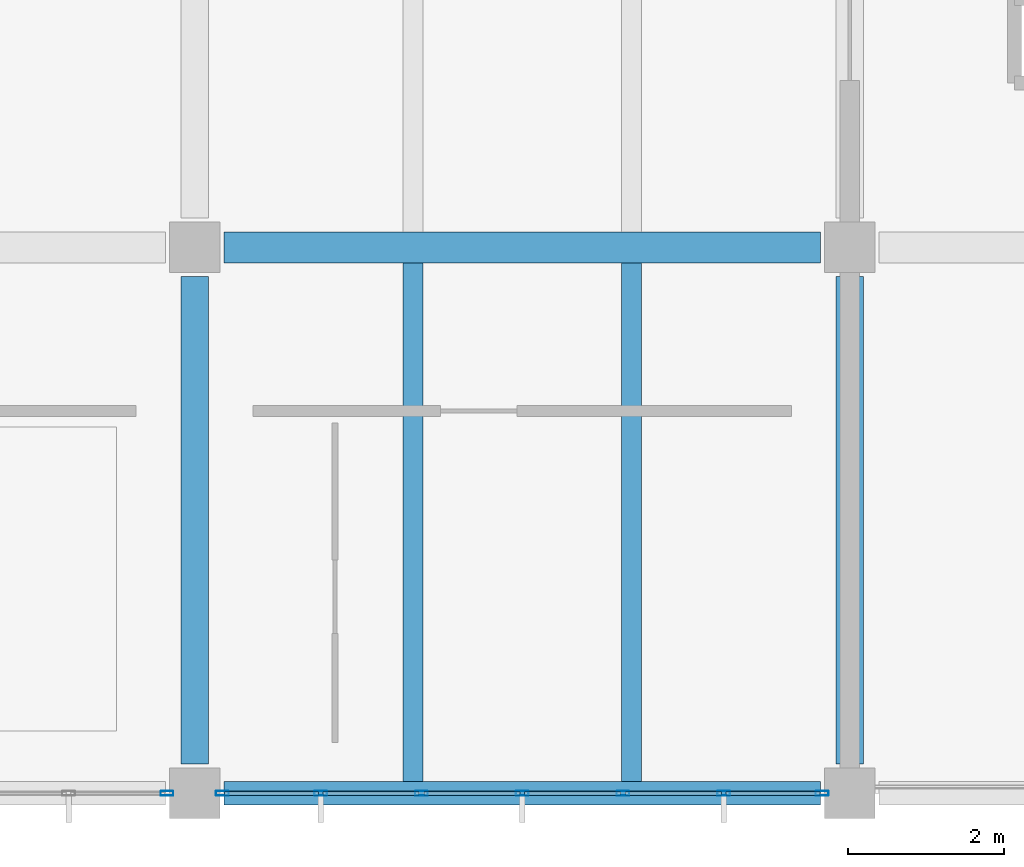
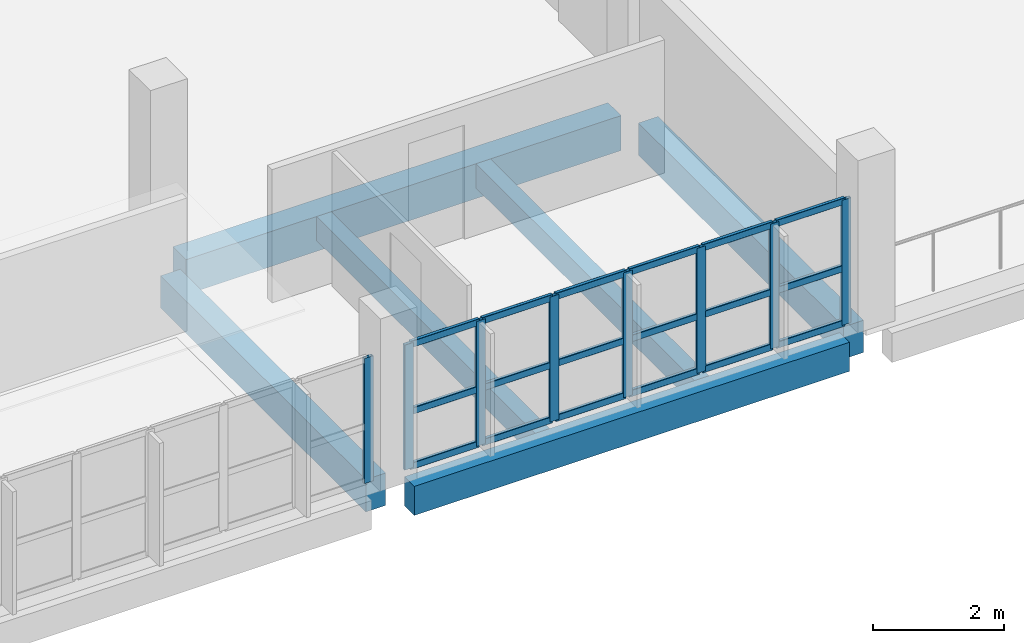
# One storey, part 15 of 33: 26 members, 6 beams, 2 elements without a shape of their own.
"""IFC4 building model written with IfcOpenShell, lengths in metres."""

from ifc_helpers import new_model, si_unit, direction, frame, origin, origin_2d, place, context, subcontext, project, spatial, rectangle, hollow_rectangle, extrude, material, layer, layer_set, material_profile, profile_set, type_object, element, aggregate, save


model = new_model("IFC4")

# Units and contexts
model_context = context("Model", 3, precision=1e-05, world=origin(), true_north=direction((0.0, 1.0)))
body_context = subcontext(model_context, "Body", "Model", "MODEL_VIEW")
ifc_project = project(units=[si_unit("LENGTHUNIT", "METRE"), si_unit("AREAUNIT", "SQUARE_METRE"), si_unit("VOLUMEUNIT", "CUBIC_METRE"), si_unit("PLANEANGLEUNIT", "RADIAN"), si_unit("MASSUNIT", "GRAM", prefix="KILO"), si_unit("THERMODYNAMICTEMPERATUREUNIT", "KELVIN"), si_unit("POWERUNIT", "WATT")], contexts=[model_context])

# Site, building, storey
site_placement = place(None, origin())
site = spatial("IfcSite", under=ifc_project, at=site_placement, CompositionType="ELEMENT")
building_placement = place(site_placement, origin())
building = spatial("IfcBuilding", under=site, at=building_placement, Name="Mavoryth Pier Ferry Terminal", CompositionType="ELEMENT")
storey_placement = place(building_placement, frame((0.0, 0.0, 13.1201171875)))
storey = spatial("IfcBuildingStorey", under=building, at=storey_placement, Name="L03", CompositionType="ELEMENT", Elevation=13.1201171875)

# Beams
ifc_material_1 = material(Name="Concrete C35/45", Category="concrete")
ifc_material_profile_1 = material_profile(ifc_material_1, rectangle(XDim=0.35009765625, YDim=0.60009765625, at=origin_2d()), Name="RC 350x600", Category="concrete")
ifc_profile_set_1 = profile_set([ifc_material_profile_1], Name="Concrete C35/45 - RC 350x600")
beam_type_1 = type_object("IfcBeamType", Name="Girder-RC-350x600", PredefinedType="BEAM", material=ifc_profile_set_1)
for number, where, z_axis, x_axis, name in (
    (1, (75.60009765625, 0.375, -0.56005859375), (0.0, 1.0, 0.0), (-1.0, 0.0, 0.0), "Beam B03-BG08-1269"),
    (2, (84.0, 0.375, -0.66015625), (0.0, 1.0, 0.0), (-1.0, 0.0, 0.0), "Beam B03-BG08-1272"),
):
    element("IfcBeam", number, at=place(storey_placement, frame(where, z_axis=z_axis, x_axis=x_axis)), inside=storey, type_object=beam_type_1, Name=name, PredefinedType="BEAM", context=body_context, shape_type="SweptSolid", body=[
        extrude(rectangle(XDim=0.35009765625, YDim=0.60009765625, at=origin_2d()), origin(), (0.0, 0.0, 1.0), 6.25),
    ])
ifc_material_profile_2 = material_profile(ifc_material_1, rectangle(XDim=0.39990234375, YDim=0.64990234375, at=origin_2d()), Name="RC 400x650", Category="concrete")
ifc_profile_set_2 = profile_set([ifc_material_profile_2], Name="Concrete C35/45 - RC 400x650")
beam_type_2 = type_object("IfcBeamType", Name="Girder-RC-400x650", PredefinedType="BEAM", material=ifc_profile_set_2)
beam_1_placement = place(storey_placement, frame((75.97509765625, 7.0, -0.585205078125), z_axis=(1.0, 0.0, 0.0), x_axis=(0.0, 1.0, 0.0)))
element("IfcBeam", 3, at=beam_1_placement, inside=storey, type_object=beam_type_2, Name="Beam B03-BG05-1243", PredefinedType="BEAM", context=body_context, shape_type="SweptSolid", body=[
    extrude(rectangle(XDim=0.39990234375, YDim=0.64990234375, at=origin_2d()), origin(), (0.0, 0.0, 1.0), 7.64990234375),
])
ifc_material_profile_3 = material_profile(ifc_material_1, rectangle(XDim=0.260009765625, YDim=0.449951171875, at=origin_2d()), Name="RC 260x450", Category="concrete")
ifc_profile_set_3 = profile_set([ifc_material_profile_3], Name="Concrete C35/45 - RC 260x450")
beam_type_3 = type_object("IfcBeamType", Name="Joist-RC-260x450", PredefinedType="JOIST", material=ifc_profile_set_3)
for number, where, z_axis, x_axis, name in (
    (4, (78.39990234375, 0.14990234375, -0.485107421875), (0.0, 1.0, 0.0), (-1.0, 0.0, 0.0), "Beam B03-BJ03-1298"),
    (5, (81.199951171875, 0.14990234375, -0.485107421875), (0.0, 1.0, 0.0), (-1.0, 0.0, 0.0), "Beam B03-BJ03-1299"),
):
    element("IfcBeam", number, at=place(storey_placement, frame(where, z_axis=z_axis, x_axis=x_axis)), inside=storey, type_object=beam_type_3, Name=name, PredefinedType="JOIST", context=body_context, shape_type="SweptSolid", body=[
        extrude(rectangle(XDim=0.260009765625, YDim=0.449951171875, at=origin_2d()), origin(), (0.0, 0.0, 1.0), 6.650146484375),
    ])

# Curtain wall, member
ifc_material_2 = material(Name="Anodised Aluminium and Solar-Control Low-E Glass", Category="aluminium")
ifc_layer = layer(ifc_material_2, 0.239990234375, Name="Anodised Aluminium and Solar-Control Low-E Glass", Category="aluminium")
ifc_layer_set = layer_set([ifc_layer], Name="Anodised Aluminium and Solar-Control Low-E Glass - CW-Operations-Mod1200")
curtain_wall_type = type_object("IfcCurtainWallType", Name="CW-Operations-Mod1200", PredefinedType="USERDEFINED", material=ifc_layer_set)
curtain_wall_1_placement = place(storey_placement, origin())
curtain_wall_1 = element("IfcCurtainWall", 6, at=curtain_wall_1_placement, inside=storey, type_object=curtain_wall_type, Name="Curtain Wall CW-0322-142", ObjectType="UNITISED CURTAIN WALL", PredefinedType="USERDEFINED")
ifc_material_3 = material(Name="Anodised Aluminium EN AW-6063", Category="aluminium")
ifc_material_profile_4 = material_profile(ifc_material_3, hollow_rectangle(XDim=0.06005859375, YDim=0.1650390625, WallThickness=0.00390625, InnerFilletRadius=0.00390625, OuterFilletRadius=0.008056640625, at=origin_2d()), Name="AL-MULL 165x60x4", Category="aluminium")
ifc_profile_set_4 = profile_set([ifc_material_profile_4], Name="Anodised Aluminium EN AW-6063 - AL-MULL 165x60x4")
member_type_1 = type_object("IfcMemberType", Name="Mullion-Alum-165x60", PredefinedType="MULLION", material=ifc_profile_set_4)
member_1_placement = place(storey_placement, frame((75.2451171875, 0.0, 0.0), z_axis=(0.0, 0.0, 1.0), x_axis=(0.0, 1.0, 0.0)))
member_1 = element("IfcMember", 7, at=member_1_placement, type_object=member_type_1, Name="CW06 mullion 7", PredefinedType="MULLION", context=body_context, shape_type="SweptSolid", body=[
    extrude(hollow_rectangle(XDim=0.06005859375, YDim=0.1650390625, WallThickness=0.00390625, InnerFilletRadius=0.00390625, OuterFilletRadius=0.008056640625, at=origin_2d()), origin(), (0.0, 0.0, 1.0), 2.324951171875),
])
aggregate(curtain_wall_1, [member_1])

# Curtain wall, members
curtain_wall_2_placement = place(storey_placement, origin())
curtain_wall_2 = element("IfcCurtainWall", 8, at=curtain_wall_2_placement, inside=storey, type_object=curtain_wall_type, Name="Curtain Wall CW-0322-144", ObjectType="UNITISED CURTAIN WALL", PredefinedType="USERDEFINED")
member_2_placement = place(storey_placement, frame((75.955078125, 0.0, 0.0), z_axis=(0.0, 0.0, 1.0), x_axis=(0.0, 1.0, 0.0)))
member_2 = element("IfcMember", 9, at=member_2_placement, type_object=member_type_1, Name="CW06 mullion 1", PredefinedType="MULLION", context=body_context, shape_type="SweptSolid", body=[
    extrude(hollow_rectangle(XDim=0.06005859375, YDim=0.1650390625, WallThickness=0.00390625, InnerFilletRadius=0.00390625, OuterFilletRadius=0.008056640625, at=origin_2d()), origin(), (0.0, 0.0, 1.0), 2.324951171875),
])
member_3_placement = place(storey_placement, frame((77.216552734375, 0.0, 0.0), z_axis=(0.0, 0.0, 1.0), x_axis=(0.0, 1.0, 0.0)))
member_3 = element("IfcMember", 10, at=member_3_placement, type_object=member_type_1, Name="CW06 mullion 2", PredefinedType="MULLION", context=body_context, shape_type="SweptSolid", body=[
    extrude(hollow_rectangle(XDim=0.06005859375, YDim=0.1650390625, WallThickness=0.00390625, InnerFilletRadius=0.00390625, OuterFilletRadius=0.008056640625, at=origin_2d()), origin(), (0.0, 0.0, 1.0), 2.324951171875),
])
member_4_placement = place(storey_placement, frame((78.50830078125, 0.0, 0.0), z_axis=(0.0, 0.0, 1.0), x_axis=(0.0, 1.0, 0.0)))
member_4 = element("IfcMember", 11, at=member_4_placement, type_object=member_type_1, Name="CW06 mullion 3", PredefinedType="MULLION", context=body_context, shape_type="SweptSolid", body=[
    extrude(hollow_rectangle(XDim=0.06005859375, YDim=0.1650390625, WallThickness=0.00390625, InnerFilletRadius=0.00390625, OuterFilletRadius=0.008056640625, at=origin_2d()), origin(), (0.0, 0.0, 1.0), 2.324951171875),
])
member_5_placement = place(storey_placement, frame((79.800048828125, 0.0, 0.0), z_axis=(0.0, 0.0, 1.0), x_axis=(0.0, 1.0, 0.0)))
member_5 = element("IfcMember", 12, at=member_5_placement, type_object=member_type_1, Name="CW06 mullion 4", PredefinedType="MULLION", context=body_context, shape_type="SweptSolid", body=[
    extrude(hollow_rectangle(XDim=0.06005859375, YDim=0.1650390625, WallThickness=0.00390625, InnerFilletRadius=0.00390625, OuterFilletRadius=0.008056640625, at=origin_2d()), origin(), (0.0, 0.0, 1.0), 2.324951171875),
])
member_6_placement = place(storey_placement, frame((81.091552734375, 0.0, 0.0), z_axis=(0.0, 0.0, 1.0), x_axis=(0.0, 1.0, 0.0)))
member_6 = element("IfcMember", 13, at=member_6_placement, type_object=member_type_1, Name="CW06 mullion 5", PredefinedType="MULLION", context=body_context, shape_type="SweptSolid", body=[
    extrude(hollow_rectangle(XDim=0.06005859375, YDim=0.1650390625, WallThickness=0.00390625, InnerFilletRadius=0.00390625, OuterFilletRadius=0.008056640625, at=origin_2d()), origin(), (0.0, 0.0, 1.0), 2.324951171875),
])
member_7_placement = place(storey_placement, frame((82.38330078125, 0.0, 0.0), z_axis=(0.0, 0.0, 1.0), x_axis=(0.0, 1.0, 0.0)))
member_7 = element("IfcMember", 14, at=member_7_placement, type_object=member_type_1, Name="CW06 mullion 6", PredefinedType="MULLION", context=body_context, shape_type="SweptSolid", body=[
    extrude(hollow_rectangle(XDim=0.06005859375, YDim=0.1650390625, WallThickness=0.00390625, InnerFilletRadius=0.00390625, OuterFilletRadius=0.008056640625, at=origin_2d()), origin(), (0.0, 0.0, 1.0), 2.324951171875),
])
member_8_placement = place(storey_placement, frame((83.64501953125, 0.0, 0.0), z_axis=(0.0, 0.0, 1.0), x_axis=(0.0, 1.0, 0.0)))
member_8 = element("IfcMember", 15, at=member_8_placement, type_object=member_type_1, Name="CW06 mullion 7", PredefinedType="MULLION", context=body_context, shape_type="SweptSolid", body=[
    extrude(hollow_rectangle(XDim=0.06005859375, YDim=0.1650390625, WallThickness=0.00390625, InnerFilletRadius=0.00390625, OuterFilletRadius=0.008056640625, at=origin_2d()), origin(), (0.0, 0.0, 1.0), 2.324951171875),
])

# Beam
ifc_material_profile_5 = material_profile(ifc_material_1, rectangle(XDim=0.300048828125, YDim=0.5400390625, at=origin_2d()), Name="RC 300x540", Category="concrete")
ifc_profile_set_5 = profile_set([ifc_material_profile_5], Name="Concrete C35/45 - RC 300x540")
beam_type_4 = type_object("IfcBeamType", Name="Spandrel-RC-300x540", PredefinedType="SPANDREL", material=ifc_profile_set_5)
beam_2_placement = place(storey_placement, frame((75.97509765625, 0.0, -0.530029296875), z_axis=(1.0, 0.0, 0.0), x_axis=(0.0, 1.0, 0.0)))
element("IfcBeam", 16, at=beam_2_placement, inside=storey, type_object=beam_type_4, Name="Beam B03-SP02-1237", PredefinedType="SPANDREL", context=body_context, shape_type="SweptSolid", body=[
    extrude(rectangle(XDim=0.300048828125, YDim=0.5400390625, at=origin_2d()), origin(), (0.0, 0.0, 1.0), 7.64990234375),
])

# Member
ifc_material_profile_6 = material_profile(ifc_material_3, hollow_rectangle(XDim=0.06005859375, YDim=0.125, WallThickness=0.00390625, InnerFilletRadius=0.00390625, OuterFilletRadius=0.008056640625, at=origin_2d()), Name="AL-TRAN 125x60x4", Category="aluminium")
ifc_profile_set_6 = profile_set([ifc_material_profile_6], Name="Anodised Aluminium EN AW-6063 - AL-TRAN 125x60x4")
member_type_2 = type_object("IfcMemberType", Name="Transom-Alum-125x60", PredefinedType="USERDEFINED", material=ifc_profile_set_6)
member_9_placement = place(storey_placement, frame((75.985107421875, 0.0, 0.02978515625), z_axis=(1.0, 0.0, 0.0), x_axis=(0.0, 1.0, 0.0)))
member_9 = element("IfcMember", 17, at=member_9_placement, type_object=member_type_2, Name="CW06 transom 1.1", ObjectType="TRANSOM", PredefinedType="USERDEFINED", context=body_context, shape_type="SweptSolid", body=[
    extrude(hollow_rectangle(XDim=0.06005859375, YDim=0.125, WallThickness=0.00390625, InnerFilletRadius=0.00390625, OuterFilletRadius=0.008056640625, at=origin_2d()), origin(), (0.0, 0.0, 1.0), 1.20166015625),
])

member_10_placement = place(storey_placement, frame((75.985107421875, 0.0, 1.0498046875), z_axis=(1.0, 0.0, 0.0), x_axis=(0.0, 1.0, 0.0)))
member_10 = element("IfcMember", 18, at=member_10_placement, type_object=member_type_2, Name="CW06 transom 1.2", ObjectType="TRANSOM", PredefinedType="USERDEFINED", context=body_context, shape_type="SweptSolid", body=[
    extrude(hollow_rectangle(XDim=0.06005859375, YDim=0.125, WallThickness=0.00390625, InnerFilletRadius=0.00390625, OuterFilletRadius=0.008056640625, at=origin_2d()), origin(), (0.0, 0.0, 1.0), 1.20166015625),
])

member_11_placement = place(storey_placement, frame((75.985107421875, 0.0, 2.294921875), z_axis=(1.0, 0.0, 0.0), x_axis=(0.0, 1.0, 0.0)))
member_11 = element("IfcMember", 19, at=member_11_placement, type_object=member_type_2, Name="CW06 transom 1.3", ObjectType="TRANSOM", PredefinedType="USERDEFINED", context=body_context, shape_type="SweptSolid", body=[
    extrude(hollow_rectangle(XDim=0.06005859375, YDim=0.125, WallThickness=0.00390625, InnerFilletRadius=0.00390625, OuterFilletRadius=0.008056640625, at=origin_2d()), origin(), (0.0, 0.0, 1.0), 1.20166015625),
])

member_12_placement = place(storey_placement, frame((77.24658203125, 0.0, 0.02978515625), z_axis=(1.0, 0.0, 0.0), x_axis=(0.0, 1.0, 0.0)))
member_12 = element("IfcMember", 20, at=member_12_placement, type_object=member_type_2, Name="CW06 transom 2.1", ObjectType="TRANSOM", PredefinedType="USERDEFINED", context=body_context, shape_type="SweptSolid", body=[
    extrude(hollow_rectangle(XDim=0.06005859375, YDim=0.125, WallThickness=0.00390625, InnerFilletRadius=0.00390625, OuterFilletRadius=0.008056640625, at=origin_2d()), origin(), (0.0, 0.0, 1.0), 1.231689453125),
])

member_13_placement = place(storey_placement, frame((77.24658203125, 0.0, 1.0498046875), z_axis=(1.0, 0.0, 0.0), x_axis=(0.0, 1.0, 0.0)))
member_13 = element("IfcMember", 21, at=member_13_placement, type_object=member_type_2, Name="CW06 transom 2.2", ObjectType="TRANSOM", PredefinedType="USERDEFINED", context=body_context, shape_type="SweptSolid", body=[
    extrude(hollow_rectangle(XDim=0.06005859375, YDim=0.125, WallThickness=0.00390625, InnerFilletRadius=0.00390625, OuterFilletRadius=0.008056640625, at=origin_2d()), origin(), (0.0, 0.0, 1.0), 1.231689453125),
])

member_14_placement = place(storey_placement, frame((77.24658203125, 0.0, 2.294921875), z_axis=(1.0, 0.0, 0.0), x_axis=(0.0, 1.0, 0.0)))
member_14 = element("IfcMember", 22, at=member_14_placement, type_object=member_type_2, Name="CW06 transom 2.3", ObjectType="TRANSOM", PredefinedType="USERDEFINED", context=body_context, shape_type="SweptSolid", body=[
    extrude(hollow_rectangle(XDim=0.06005859375, YDim=0.125, WallThickness=0.00390625, InnerFilletRadius=0.00390625, OuterFilletRadius=0.008056640625, at=origin_2d()), origin(), (0.0, 0.0, 1.0), 1.231689453125),
])

member_15_placement = place(storey_placement, frame((78.538330078125, 0.0, 0.02978515625), z_axis=(1.0, 0.0, 0.0), x_axis=(0.0, 1.0, 0.0)))
member_15 = element("IfcMember", 23, at=member_15_placement, type_object=member_type_2, Name="CW06 transom 3.1", ObjectType="TRANSOM", PredefinedType="USERDEFINED", context=body_context, shape_type="SweptSolid", body=[
    extrude(hollow_rectangle(XDim=0.06005859375, YDim=0.125, WallThickness=0.00390625, InnerFilletRadius=0.00390625, OuterFilletRadius=0.008056640625, at=origin_2d()), origin(), (0.0, 0.0, 1.0), 1.231689453125),
])

member_16_placement = place(storey_placement, frame((78.538330078125, 0.0, 1.0498046875), z_axis=(1.0, 0.0, 0.0), x_axis=(0.0, 1.0, 0.0)))
member_16 = element("IfcMember", 24, at=member_16_placement, type_object=member_type_2, Name="CW06 transom 3.2", ObjectType="TRANSOM", PredefinedType="USERDEFINED", context=body_context, shape_type="SweptSolid", body=[
    extrude(hollow_rectangle(XDim=0.06005859375, YDim=0.125, WallThickness=0.00390625, InnerFilletRadius=0.00390625, OuterFilletRadius=0.008056640625, at=origin_2d()), origin(), (0.0, 0.0, 1.0), 1.231689453125),
])

member_17_placement = place(storey_placement, frame((78.538330078125, 0.0, 2.294921875), z_axis=(1.0, 0.0, 0.0), x_axis=(0.0, 1.0, 0.0)))
member_17 = element("IfcMember", 25, at=member_17_placement, type_object=member_type_2, Name="CW06 transom 3.3", ObjectType="TRANSOM", PredefinedType="USERDEFINED", context=body_context, shape_type="SweptSolid", body=[
    extrude(hollow_rectangle(XDim=0.06005859375, YDim=0.125, WallThickness=0.00390625, InnerFilletRadius=0.00390625, OuterFilletRadius=0.008056640625, at=origin_2d()), origin(), (0.0, 0.0, 1.0), 1.231689453125),
])

member_18_placement = place(storey_placement, frame((79.830078125, 0.0, 0.02978515625), z_axis=(1.0, 0.0, 0.0), x_axis=(0.0, 1.0, 0.0)))
member_18 = element("IfcMember", 26, at=member_18_placement, type_object=member_type_2, Name="CW06 transom 4.1", ObjectType="TRANSOM", PredefinedType="USERDEFINED", context=body_context, shape_type="SweptSolid", body=[
    extrude(hollow_rectangle(XDim=0.06005859375, YDim=0.125, WallThickness=0.00390625, InnerFilletRadius=0.00390625, OuterFilletRadius=0.008056640625, at=origin_2d()), origin(), (0.0, 0.0, 1.0), 1.231689453125),
])

member_19_placement = place(storey_placement, frame((79.830078125, 0.0, 1.0498046875), z_axis=(1.0, 0.0, 0.0), x_axis=(0.0, 1.0, 0.0)))
member_19 = element("IfcMember", 27, at=member_19_placement, type_object=member_type_2, Name="CW06 transom 4.2", ObjectType="TRANSOM", PredefinedType="USERDEFINED", context=body_context, shape_type="SweptSolid", body=[
    extrude(hollow_rectangle(XDim=0.06005859375, YDim=0.125, WallThickness=0.00390625, InnerFilletRadius=0.00390625, OuterFilletRadius=0.008056640625, at=origin_2d()), origin(), (0.0, 0.0, 1.0), 1.231689453125),
])

member_20_placement = place(storey_placement, frame((79.830078125, 0.0, 2.294921875), z_axis=(1.0, 0.0, 0.0), x_axis=(0.0, 1.0, 0.0)))
member_20 = element("IfcMember", 28, at=member_20_placement, type_object=member_type_2, Name="CW06 transom 4.3", ObjectType="TRANSOM", PredefinedType="USERDEFINED", context=body_context, shape_type="SweptSolid", body=[
    extrude(hollow_rectangle(XDim=0.06005859375, YDim=0.125, WallThickness=0.00390625, InnerFilletRadius=0.00390625, OuterFilletRadius=0.008056640625, at=origin_2d()), origin(), (0.0, 0.0, 1.0), 1.231689453125),
])

member_21_placement = place(storey_placement, frame((81.12158203125, 0.0, 0.02978515625), z_axis=(1.0, 0.0, 0.0), x_axis=(0.0, 1.0, 0.0)))
member_21 = element("IfcMember", 29, at=member_21_placement, type_object=member_type_2, Name="CW06 transom 5.1", ObjectType="TRANSOM", PredefinedType="USERDEFINED", context=body_context, shape_type="SweptSolid", body=[
    extrude(hollow_rectangle(XDim=0.06005859375, YDim=0.125, WallThickness=0.00390625, InnerFilletRadius=0.00390625, OuterFilletRadius=0.008056640625, at=origin_2d()), origin(), (0.0, 0.0, 1.0), 1.231689453125),
])

member_22_placement = place(storey_placement, frame((81.12158203125, 0.0, 1.0498046875), z_axis=(1.0, 0.0, 0.0), x_axis=(0.0, 1.0, 0.0)))
member_22 = element("IfcMember", 30, at=member_22_placement, type_object=member_type_2, Name="CW06 transom 5.2", ObjectType="TRANSOM", PredefinedType="USERDEFINED", context=body_context, shape_type="SweptSolid", body=[
    extrude(hollow_rectangle(XDim=0.06005859375, YDim=0.125, WallThickness=0.00390625, InnerFilletRadius=0.00390625, OuterFilletRadius=0.008056640625, at=origin_2d()), origin(), (0.0, 0.0, 1.0), 1.231689453125),
])

member_23_placement = place(storey_placement, frame((81.12158203125, 0.0, 2.294921875), z_axis=(1.0, 0.0, 0.0), x_axis=(0.0, 1.0, 0.0)))
member_23 = element("IfcMember", 31, at=member_23_placement, type_object=member_type_2, Name="CW06 transom 5.3", ObjectType="TRANSOM", PredefinedType="USERDEFINED", context=body_context, shape_type="SweptSolid", body=[
    extrude(hollow_rectangle(XDim=0.06005859375, YDim=0.125, WallThickness=0.00390625, InnerFilletRadius=0.00390625, OuterFilletRadius=0.008056640625, at=origin_2d()), origin(), (0.0, 0.0, 1.0), 1.231689453125),
])

member_24_placement = place(storey_placement, frame((82.413330078125, 0.0, 0.02978515625), z_axis=(1.0, 0.0, 0.0), x_axis=(0.0, 1.0, 0.0)))
member_24 = element("IfcMember", 32, at=member_24_placement, type_object=member_type_2, Name="CW06 transom 6.1", ObjectType="TRANSOM", PredefinedType="USERDEFINED", context=body_context, shape_type="SweptSolid", body=[
    extrude(hollow_rectangle(XDim=0.06005859375, YDim=0.125, WallThickness=0.00390625, InnerFilletRadius=0.00390625, OuterFilletRadius=0.008056640625, at=origin_2d()), origin(), (0.0, 0.0, 1.0), 1.20166015625),
])

member_25_placement = place(storey_placement, frame((82.413330078125, 0.0, 1.0498046875), z_axis=(1.0, 0.0, 0.0), x_axis=(0.0, 1.0, 0.0)))
member_25 = element("IfcMember", 33, at=member_25_placement, type_object=member_type_2, Name="CW06 transom 6.2", ObjectType="TRANSOM", PredefinedType="USERDEFINED", context=body_context, shape_type="SweptSolid", body=[
    extrude(hollow_rectangle(XDim=0.06005859375, YDim=0.125, WallThickness=0.00390625, InnerFilletRadius=0.00390625, OuterFilletRadius=0.008056640625, at=origin_2d()), origin(), (0.0, 0.0, 1.0), 1.20166015625),
])

member_26_placement = place(storey_placement, frame((82.413330078125, 0.0, 2.294921875), z_axis=(1.0, 0.0, 0.0), x_axis=(0.0, 1.0, 0.0)))
member_26 = element("IfcMember", 34, at=member_26_placement, type_object=member_type_2, Name="CW06 transom 6.3", ObjectType="TRANSOM", PredefinedType="USERDEFINED", context=body_context, shape_type="SweptSolid", body=[
    extrude(hollow_rectangle(XDim=0.06005859375, YDim=0.125, WallThickness=0.00390625, InnerFilletRadius=0.00390625, OuterFilletRadius=0.008056640625, at=origin_2d()), origin(), (0.0, 0.0, 1.0), 1.20166015625),
])

aggregate(curtain_wall_2, [member_2, member_3, member_4, member_5, member_6, member_7, member_8, member_9, member_10, member_11, member_12, member_13, member_14, member_15, member_16, member_17, member_18, member_19, member_20, member_21, member_22, member_23, member_24, member_25, member_26])

save(model, "model.ifc")
